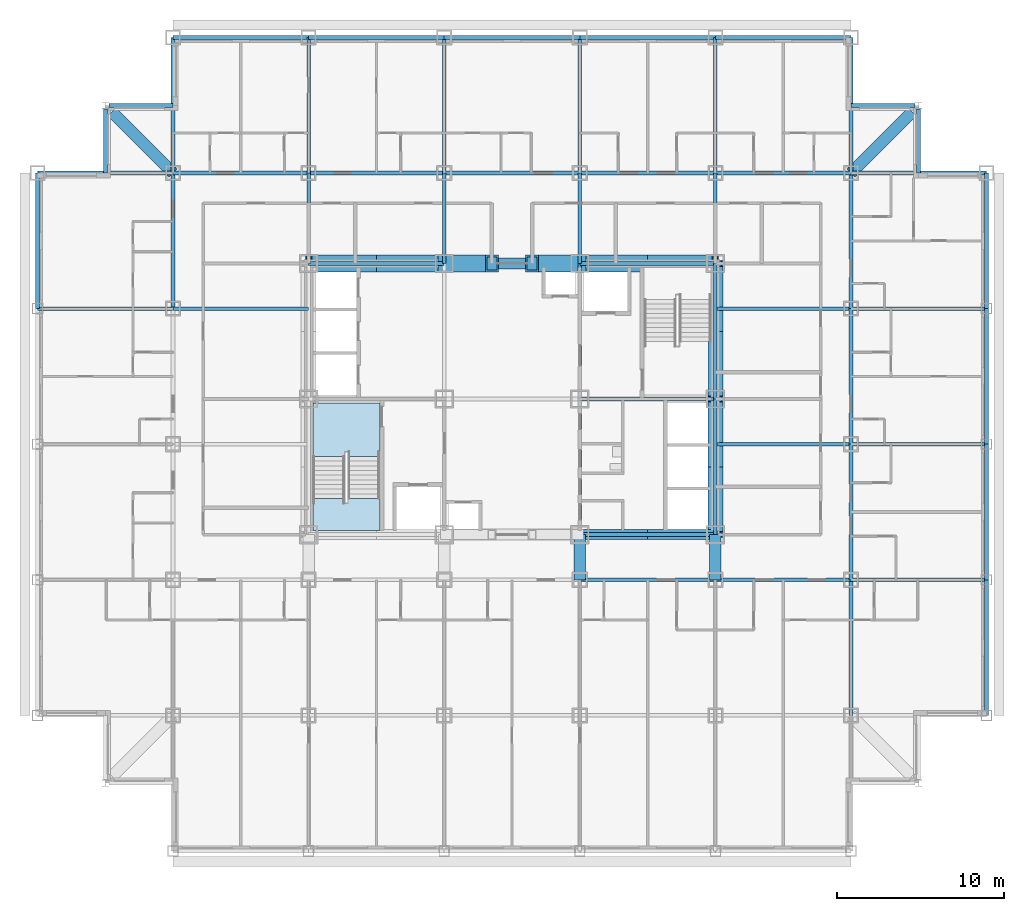
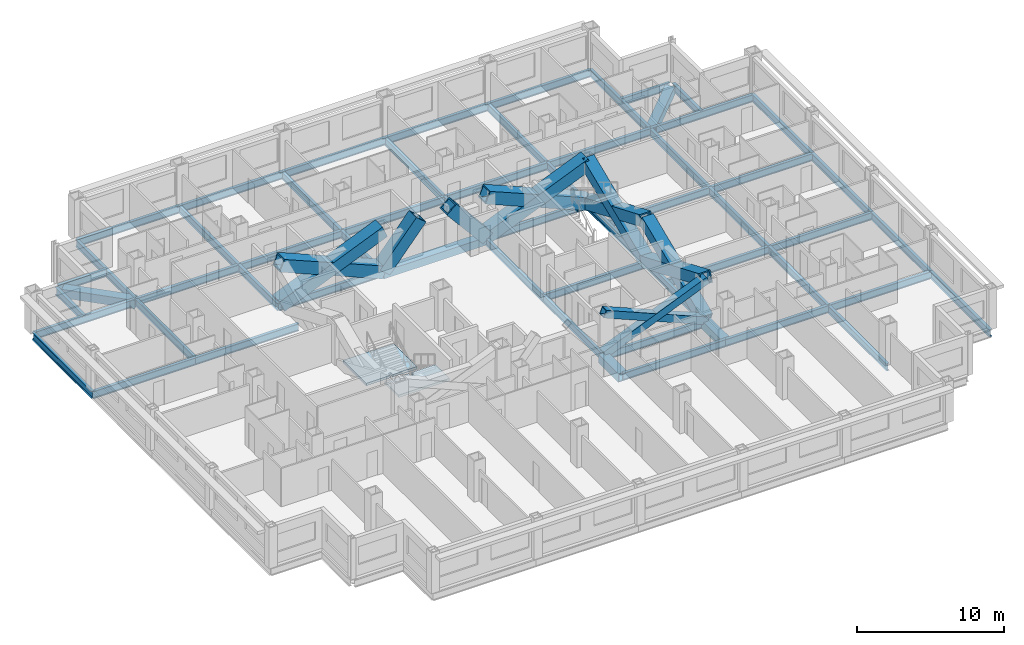
# One storey, part 2 of 14: 58 beams, 12 members, 2 slabs, 1 element without a shape of its own.
"""IFC4 building model written with IfcOpenShell, lengths in metres."""

from ifc_helpers import new_model, si_unit, direction, frame, origin, origin_2d, place, context, subcontext, project, spatial, polyline, hollow_rectangle, i_section, outline, extrude, material, layer, layer_set, material_profile, profile_set, type_object, element, aggregate, save


model = new_model("IFC4")

# Units and contexts
model_context = context("Model", 3, precision=1e-05, world=origin(), true_north=direction((0.0, 1.0)))
body_context = subcontext(model_context, "Body", "Model", "MODEL_VIEW")
ifc_project = project(units=[si_unit("LENGTHUNIT", "METRE"), si_unit("AREAUNIT", "SQUARE_METRE"), si_unit("VOLUMEUNIT", "CUBIC_METRE"), si_unit("PLANEANGLEUNIT", "RADIAN"), si_unit("MASSUNIT", "GRAM", prefix="KILO")], contexts=[model_context])

# Site, building, storey
site_placement = place(None, origin())
site = spatial("IfcSite", under=ifc_project, at=site_placement, CompositionType="ELEMENT")
building_placement = place(site_placement, origin())
building = spatial("IfcBuilding", under=site, at=building_placement, Name="Kopane Lantern Tower", CompositionType="ELEMENT")
storey_placement = place(building_placement, frame((0.0, 0.0, 127.199951171875)))
storey = spatial("IfcBuildingStorey", under=building, at=storey_placement, Name="L32", CompositionType="ELEMENT", Elevation=127.199951171875)

# Members
ifc_material_1 = material(Name="Steel S355JR", Category="steel")
ifc_material_profile_1 = material_profile(ifc_material_1, hollow_rectangle(XDim=1.0, YDim=1.0, WallThickness=0.10009765625, at=origin_2d()), Name="BOX 1000x1000x100")
ifc_profile_set_1 = profile_set([ifc_material_profile_1], Name="Steel S355JR")
member_type_1 = type_object("IfcMemberType", Name="BRACE BOX 1000x1000x100", PredefinedType="BRACE", material=ifc_profile_set_1)
for number, where, z_axis, x_axis, name in (
    (1, (16.199951171875, 40.5, -0.2099609375), (0.922069000757, 0.0, 0.387025526088), (0.0, 1.0, 0.0), "Core brace L32"),
    (2, (24.300048828125, 40.5, -0.2099609375), (-0.922069000757, 0.0, 0.387025526088), (0.0, -1.0, 0.0), "Core brace L32"),
):
    element("IfcMember", number, at=place(storey_placement, frame(where, z_axis=z_axis, x_axis=x_axis)), inside=storey, type_object=member_type_1, Name=name, PredefinedType="BRACE", context=body_context, shape_type="SweptSolid", body=[
        extrude(hollow_rectangle(XDim=1.0, YDim=1.0, WallThickness=0.10009765625, at=origin_2d()), origin(), (0.0, 0.0, 1.0), 8.78466796875),
    ])
for number, where, z_axis, x_axis, name in (
    (3, (24.300048828125, 40.5, -0.2099609375), (0.642390257445, 0.0, 0.7663776857), (0.0, 1.0, 0.0), "Core brace L32"),
    (4, (32.39990234375, 40.5, -0.2099609375), (-0.642390257445, 0.0, 0.7663776857), (0.0, -1.0, 0.0), "Core brace L32"),
):
    element("IfcMember", number, at=place(storey_placement, frame(where, z_axis=z_axis, x_axis=x_axis)), inside=storey, type_object=member_type_1, Name=name, PredefinedType="BRACE", context=body_context, shape_type="SweptSolid", body=[
        extrude(hollow_rectangle(XDim=1.0, YDim=1.0, WallThickness=0.10009765625, at=origin_2d()), origin(), (0.0, 0.0, 1.0), 4.436279296875),
    ])
for number, where, z_axis, x_axis, name in (
    (5, (32.39990234375, 40.5, -0.2099609375), (0.922069000757, 0.0, 0.387025526088), (0.0, 1.0, 0.0), "Core brace L32"),
    (6, (40.5, 40.5, -0.2099609375), (-0.922069000757, 0.0, 0.387025526088), (0.0, -1.0, 0.0), "Core brace L32"),
):
    element("IfcMember", number, at=place(storey_placement, frame(where, z_axis=z_axis, x_axis=x_axis)), inside=storey, type_object=member_type_1, Name=name, PredefinedType="BRACE", context=body_context, shape_type="SweptSolid", body=[
        extrude(hollow_rectangle(XDim=1.0, YDim=1.0, WallThickness=0.10009765625, at=origin_2d()), origin(), (0.0, 0.0, 1.0), 8.78466796875),
    ])
ifc_material_2 = material(Name="Steel S355JR", Category="steel")
ifc_material_profile_2 = material_profile(ifc_material_2, hollow_rectangle(XDim=0.60009765625, YDim=0.60009765625, WallThickness=0.050048828125, at=origin_2d()), Name="BOX 600x600x50")
ifc_profile_set_2 = profile_set([ifc_material_profile_2], Name="Steel S355JR")
member_type_2 = type_object("IfcMemberType", Name="BRACE BOX 600x600x50", PredefinedType="BRACE", material=ifc_profile_set_2)
for number, where, z_axis, x_axis, name in (
    (7, (32.39990234375, 24.300048828125, -0.2099609375), (0.922069000757, 0.0, 0.387025526088), (0.0, 1.0, 0.0), "Core brace L32"),
    (8, (40.5, 24.300048828125, -0.2099609375), (-0.922069000757, 0.0, 0.387025526088), (0.0, -1.0, 0.0), "Core brace L32"),
):
    element("IfcMember", number, at=place(storey_placement, frame(where, z_axis=z_axis, x_axis=x_axis)), inside=storey, type_object=member_type_2, Name=name, PredefinedType="BRACE", context=body_context, shape_type="SweptSolid", body=[
        extrude(hollow_rectangle(XDim=0.60009765625, YDim=0.60009765625, WallThickness=0.050048828125, at=origin_2d()), origin(), (0.0, 0.0, 1.0), 8.78466796875),
    ])
ifc_material_3 = material(Name="Steel S355JR", Category="steel")
ifc_material_profile_3 = material_profile(ifc_material_3, hollow_rectangle(XDim=0.89990234375, YDim=0.89990234375, WallThickness=0.090087890625, at=origin_2d()), Name="BOX 900x900x90")
ifc_profile_set_3 = profile_set([ifc_material_profile_3], Name="Steel S355JR")
member_type_3 = type_object("IfcMemberType", Name="BRACE BOX 900x900x90", PredefinedType="BRACE", material=ifc_profile_set_3)
for number, where, z_axis, x_axis, name in (
    (9, (40.5, 24.300048828125, -0.2099609375), (0.0, 0.922064837731, 0.38703544414), (-1.0, 0.0, 0.0), "Core brace L32"),
    (10, (40.5, 32.39990234375, -0.2099609375), (0.0, -0.922064837731, 0.38703544414), (1.0, 0.0, 0.0), "Core brace L32"),
):
    element("IfcMember", number, at=place(storey_placement, frame(where, z_axis=z_axis, x_axis=x_axis)), inside=storey, type_object=member_type_3, Name=name, PredefinedType="BRACE", context=body_context, shape_type="SweptSolid", body=[
        extrude(hollow_rectangle(XDim=0.89990234375, YDim=0.89990234375, WallThickness=0.090087890625, at=origin_2d()), origin(), (0.0, 0.0, 1.0), 8.784423828125),
    ])
for number, where, z_axis, x_axis, name in (
    (11, (40.5, 32.39990234375, -0.2099609375), (0.0, 0.922069000757, 0.387025526088), (-1.0, 0.0, 0.0), "Core brace L32"),
    (12, (40.5, 40.5, -0.2099609375), (0.0, -0.922069000757, 0.387025526088), (1.0, 0.0, 0.0), "Core brace L32"),
):
    element("IfcMember", number, at=place(storey_placement, frame(where, z_axis=z_axis, x_axis=x_axis)), inside=storey, type_object=member_type_3, Name=name, PredefinedType="BRACE", context=body_context, shape_type="SweptSolid", body=[
        extrude(hollow_rectangle(XDim=0.89990234375, YDim=0.89990234375, WallThickness=0.090087890625, at=origin_2d()), origin(), (0.0, 0.0, 1.0), 8.78466796875),
    ])

# Beams
ifc_material_4 = material(Name="Steel S355JR", Category="steel")
ifc_material_profile_4 = material_profile(ifc_material_4, i_section(OverallWidth=0.22900390625, OverallDepth=0.6123046875, WebThickness=0.011962890625, FlangeThickness=0.01953125, FilletRadius=0.0126953125, at=origin_2d()), Name="UB 610x229x125")
ifc_profile_set_4 = profile_set([ifc_material_profile_4], Name="Steel S355JR")
beam_type_1 = type_object("IfcBeamType", Name="CORE BEAM UB 610x229x125", PredefinedType="BEAM", material=ifc_profile_set_4)
beam_1_placement = place(storey_placement, frame((32.39990234375, 24.300048828125, -0.51611328125), z_axis=(0.0, 1.0, 0.0), x_axis=(-1.0, 0.0, 0.0)))
element("IfcBeam", 13, at=beam_1_placement, inside=storey, type_object=beam_type_1, Name="Core Beam L32", PredefinedType="BEAM", context=body_context, shape_type="SweptSolid", body=[
    extrude(i_section(OverallWidth=0.22900390625, OverallDepth=0.6123046875, WebThickness=0.011962890625, FlangeThickness=0.01953125, FilletRadius=0.0126953125, at=origin_2d()), origin(), (0.0, 0.0, 1.0), 8.099853515625),
])
for number, where, z_axis, x_axis, name in (
    (14, (32.39990234375, 32.39990234375, -0.51611328125), (0.0, 1.0, 0.0), (-1.0, 0.0, 0.0), "Core Beam L32"),
    (15, (32.39990234375, 32.39990234375, -0.51611328125), (1.0, 0.0, 0.0), (0.0, 1.0, 0.0), "Core Beam L32"),
):
    element("IfcBeam", number, at=place(storey_placement, frame(where, z_axis=z_axis, x_axis=x_axis)), inside=storey, type_object=beam_type_1, Name=name, PredefinedType="BEAM", context=body_context, shape_type="SweptSolid", body=[
        extrude(i_section(OverallWidth=0.22900390625, OverallDepth=0.6123046875, WebThickness=0.011962890625, FlangeThickness=0.01953125, FilletRadius=0.0126953125, at=origin_2d()), origin(), (0.0, 0.0, 1.0), 8.10009765625),
    ])
ifc_material_5 = material(Name="Steel S355JR", Category="steel")
ifc_material_profile_5 = material_profile(ifc_material_5, hollow_rectangle(XDim=0.699951171875, YDim=0.699951171875, WallThickness=0.06005859375, at=origin_2d()), Name="BOX 700x700x60")
ifc_profile_set_5 = profile_set([ifc_material_profile_5], Name="Steel S355JR")
beam_type_2 = type_object("IfcBeamType", Name="CORNER TIE BEAM BOX 700x700x60", PredefinedType="BEAM", material=ifc_profile_set_5)
beam_2_placement = place(storey_placement, frame((4.447509765625, 49.552490234375, -0.56005859375), z_axis=(0.707106781187, -0.707106781187, 0.0), x_axis=(0.707106781187, 0.707106781187, 0.0)))
element("IfcBeam", 16, at=beam_2_placement, inside=storey, type_object=beam_type_2, Name="Corner Tie Beam L32", PredefinedType="BEAM", context=body_context, shape_type="SweptSolid", body=[
    extrude(hollow_rectangle(XDim=0.699951171875, YDim=0.699951171875, WallThickness=0.06005859375, at=origin_2d()), origin(), (0.0, 0.0, 1.0), 5.16552734375),
])
beam_3_placement = place(storey_placement, frame((52.25244140625, 49.552490234375, -0.56005859375), z_axis=(-0.707083148333, -0.70713041325, 0.0), x_axis=(0.70713041325, -0.707083148333, 0.0)))
element("IfcBeam", 17, at=beam_3_placement, inside=storey, type_object=beam_type_2, Name="Corner Tie Beam L32", PredefinedType="BEAM", context=body_context, shape_type="SweptSolid", body=[
    extrude(hollow_rectangle(XDim=0.699951171875, YDim=0.699951171875, WallThickness=0.06005859375, at=origin_2d()), origin(), (0.0, 0.0, 1.0), 5.165283203125),
])
ifc_material_6 = material(Name="Steel S355JR", Category="steel")
ifc_material_profile_6 = material_profile(ifc_material_6, i_section(OverallWidth=0.22900390625, OverallDepth=0.6123046875, WebThickness=0.011962890625, FlangeThickness=0.01953125, FilletRadius=0.0126953125, at=origin_2d()), Name="UB 610x229x125")
ifc_profile_set_6 = profile_set([ifc_material_profile_6], Name="Steel S355JR")
beam_type_3 = type_object("IfcBeamType", Name="EDGE BEAM UB 610x229x125", PredefinedType="BEAM", material=ifc_profile_set_6)
for number, where, z_axis, x_axis, name in (
    (18, (4.050048828125, 49.74658203125, -0.51611328125), (0.0, -1.0, 0.0), (1.0, 0.0, 0.0), "Edge Beam L32"),
    (19, (4.25341796875, 49.949951171875, -0.51611328125), (1.0, 0.0, 0.0), (0.0, 1.0, 0.0), "Edge Beam L32"),
):
    element("IfcBeam", number, at=place(storey_placement, frame(where, z_axis=z_axis, x_axis=x_axis)), inside=storey, type_object=beam_type_3, Name=name, PredefinedType="BEAM", context=body_context, shape_type="SweptSolid", body=[
        extrude(i_section(OverallWidth=0.22900390625, OverallDepth=0.6123046875, WebThickness=0.011962890625, FlangeThickness=0.01953125, FilletRadius=0.0126953125, at=origin_2d()), origin(), (0.0, 0.0, 1.0), 3.8466796875),
    ])
beam_4_placement = place(storey_placement, frame((52.446533203125, 49.949951171875, -0.51611328125), z_axis=(-1.0, 0.0, 0.0), x_axis=(0.0, -1.0, 0.0)))
element("IfcBeam", 20, at=beam_4_placement, inside=storey, type_object=beam_type_3, Name="Edge Beam L32", PredefinedType="BEAM", context=body_context, shape_type="SweptSolid", body=[
    extrude(i_section(OverallWidth=0.22900390625, OverallDepth=0.6123046875, WebThickness=0.011962890625, FlangeThickness=0.01953125, FilletRadius=0.0126953125, at=origin_2d()), origin(), (0.0, 0.0, 1.0), 3.846435546875),
])
beam_5_placement = place(storey_placement, frame((52.64990234375, 49.74658203125, -0.51611328125), z_axis=(0.0, -1.0, 0.0), x_axis=(1.0, 0.0, 0.0)))
element("IfcBeam", 21, at=beam_5_placement, inside=storey, type_object=beam_type_3, Name="Edge Beam L32", PredefinedType="BEAM", context=body_context, shape_type="SweptSolid", body=[
    extrude(i_section(OverallWidth=0.22900390625, OverallDepth=0.6123046875, WebThickness=0.011962890625, FlangeThickness=0.01953125, FilletRadius=0.0126953125, at=origin_2d()), origin(), (0.0, 0.0, 1.0), 3.8466796875),
])
ifc_material_7 = material(Name="Steel S355JR", Category="steel")
ifc_material_profile_7 = material_profile(ifc_material_7, hollow_rectangle(XDim=0.699951171875, YDim=0.699951171875, WallThickness=0.06005859375, at=origin_2d()), Name="BOX 700x700x60")
ifc_profile_set_7 = profile_set([ifc_material_profile_7], Name="Steel S355JR")
beam_type_4 = type_object("IfcBeamType", Name="GIRDER BOX 700x700x60", PredefinedType="BEAM", material=ifc_profile_set_7)
for number, where, z_axis, x_axis, name in (
    (22, (32.39990234375, 21.60009765625, -0.56005859375), (0.0, 1.0, 0.0), (-1.0, 0.0, 0.0), "Girder L32"),
    (23, (40.5, 21.60009765625, -0.56005859375), (0.0, 1.0, 0.0), (-1.0, 0.0, 0.0), "Girder L32"),
):
    element("IfcBeam", number, at=place(storey_placement, frame(where, z_axis=z_axis, x_axis=x_axis)), inside=storey, type_object=beam_type_4, Name=name, PredefinedType="BEAM", context=body_context, shape_type="SweptSolid", body=[
        extrude(hollow_rectangle(XDim=0.699951171875, YDim=0.699951171875, WallThickness=0.06005859375, at=origin_2d()), origin(), (0.0, 0.0, 1.0), 2.699951171875),
    ])
ifc_material_8 = material(Name="Steel S355JR", Category="steel")
ifc_material_profile_8 = material_profile(ifc_material_8, i_section(OverallWidth=0.22900390625, OverallDepth=0.6123046875, WebThickness=0.011962890625, FlangeThickness=0.01953125, FilletRadius=0.0126953125, at=origin_2d()), Name="UB 610x229x125")
ifc_profile_set_8 = profile_set([ifc_material_profile_8], Name="Steel S355JR")
beam_type_5 = type_object("IfcBeamType", Name="GIRDER UB 610x229x125", PredefinedType="BEAM", material=ifc_profile_set_8)
beam_6_placement = place(storey_placement, frame((0.0, 37.800048828125, -0.51611328125), z_axis=(0.0, 1.0, 0.0), x_axis=(-1.0, 0.0, 0.0)))
element("IfcBeam", 24, at=beam_6_placement, inside=storey, type_object=beam_type_5, Name="Girder L32", PredefinedType="BEAM", context=body_context, shape_type="SweptSolid", body=[
    extrude(i_section(OverallWidth=0.22900390625, OverallDepth=0.6123046875, WebThickness=0.011962890625, FlangeThickness=0.01953125, FilletRadius=0.0126953125, at=origin_2d()), origin(), (0.0, 0.0, 1.0), 8.099853515625),
])
for number, where, z_axis, x_axis, name in (
    (25, (0.0, 37.800048828125, -0.51611328125), (1.0, 0.0, 0.0), (0.0, 1.0, 0.0), "Girder L32"),
    (26, (0.0, 45.89990234375, -0.51611328125), (1.0, 0.0, 0.0), (0.0, 1.0, 0.0), "Girder L32"),
):
    element("IfcBeam", number, at=place(storey_placement, frame(where, z_axis=z_axis, x_axis=x_axis)), inside=storey, type_object=beam_type_5, Name=name, PredefinedType="BEAM", context=body_context, shape_type="SweptSolid", body=[
        extrude(i_section(OverallWidth=0.22900390625, OverallDepth=0.6123046875, WebThickness=0.011962890625, FlangeThickness=0.01953125, FilletRadius=0.0126953125, at=origin_2d()), origin(), (0.0, 0.0, 1.0), 8.10009765625),
    ])
for number, where, z_axis, x_axis, name in (
    (27, (8.10009765625, 37.800048828125, -0.51611328125), (0.0, 1.0, 0.0), (-1.0, 0.0, 0.0), "Girder L32"),
    (28, (8.10009765625, 37.800048828125, -0.51611328125), (1.0, 0.0, 0.0), (0.0, 1.0, 0.0), "Girder L32"),
):
    element("IfcBeam", number, at=place(storey_placement, frame(where, z_axis=z_axis, x_axis=x_axis)), inside=storey, type_object=beam_type_5, Name=name, PredefinedType="BEAM", context=body_context, shape_type="SweptSolid", body=[
        extrude(i_section(OverallWidth=0.22900390625, OverallDepth=0.6123046875, WebThickness=0.011962890625, FlangeThickness=0.01953125, FilletRadius=0.0126953125, at=origin_2d()), origin(), (0.0, 0.0, 1.0), 8.099853515625),
    ])
beam_7_placement = place(storey_placement, frame((8.10009765625, 45.89990234375, -0.51611328125), z_axis=(0.0, 1.0, 0.0), x_axis=(-1.0, 0.0, 0.0)))
element("IfcBeam", 29, at=beam_7_placement, inside=storey, type_object=beam_type_5, Name="Girder L32", PredefinedType="BEAM", context=body_context, shape_type="SweptSolid", body=[
    extrude(i_section(OverallWidth=0.22900390625, OverallDepth=0.6123046875, WebThickness=0.011962890625, FlangeThickness=0.01953125, FilletRadius=0.0126953125, at=origin_2d()), origin(), (0.0, 0.0, 1.0), 8.10009765625),
])
for number, where, z_axis, x_axis, name in (
    (30, (8.10009765625, 45.89990234375, -0.51611328125), (1.0, 0.0, 0.0), (0.0, 1.0, 0.0), "Girder L32"),
    (31, (8.10009765625, 54.0, -0.51611328125), (1.0, 0.0, 0.0), (0.0, 1.0, 0.0), "Girder L32"),
):
    element("IfcBeam", number, at=place(storey_placement, frame(where, z_axis=z_axis, x_axis=x_axis)), inside=storey, type_object=beam_type_5, Name=name, PredefinedType="BEAM", context=body_context, shape_type="SweptSolid", body=[
        extrude(i_section(OverallWidth=0.22900390625, OverallDepth=0.6123046875, WebThickness=0.011962890625, FlangeThickness=0.01953125, FilletRadius=0.0126953125, at=origin_2d()), origin(), (0.0, 0.0, 1.0), 8.099853515625),
    ])
beam_8_placement = place(storey_placement, frame((16.199951171875, 40.5, -0.51611328125), z_axis=(0.0, 1.0, 0.0), x_axis=(-1.0, 0.0, 0.0)))
element("IfcBeam", 32, at=beam_8_placement, inside=storey, type_object=beam_type_5, Name="Girder L32", PredefinedType="BEAM", context=body_context, shape_type="SweptSolid", body=[
    extrude(i_section(OverallWidth=0.22900390625, OverallDepth=0.6123046875, WebThickness=0.011962890625, FlangeThickness=0.01953125, FilletRadius=0.0126953125, at=origin_2d()), origin(), (0.0, 0.0, 1.0), 5.39990234375),
])
for number, where, z_axis, x_axis, name in (
    (33, (16.199951171875, 40.5, -0.51611328125), (1.0, 0.0, 0.0), (0.0, 1.0, 0.0), "Girder L32"),
    (34, (16.199951171875, 45.89990234375, -0.51611328125), (0.0, 1.0, 0.0), (-1.0, 0.0, 0.0), "Girder L32"),
    (35, (16.199951171875, 45.89990234375, -0.51611328125), (1.0, 0.0, 0.0), (0.0, 1.0, 0.0), "Girder L32"),
    (36, (16.199951171875, 54.0, -0.51611328125), (1.0, 0.0, 0.0), (0.0, 1.0, 0.0), "Girder L32"),
):
    element("IfcBeam", number, at=place(storey_placement, frame(where, z_axis=z_axis, x_axis=x_axis)), inside=storey, type_object=beam_type_5, Name=name, PredefinedType="BEAM", context=body_context, shape_type="SweptSolid", body=[
        extrude(i_section(OverallWidth=0.22900390625, OverallDepth=0.6123046875, WebThickness=0.011962890625, FlangeThickness=0.01953125, FilletRadius=0.0126953125, at=origin_2d()), origin(), (0.0, 0.0, 1.0), 8.10009765625),
    ])
beam_9_placement = place(storey_placement, frame((24.300048828125, 40.5, -0.51611328125), z_axis=(0.0, 1.0, 0.0), x_axis=(-1.0, 0.0, 0.0)))
element("IfcBeam", 37, at=beam_9_placement, inside=storey, type_object=beam_type_5, Name="Girder L32", PredefinedType="BEAM", context=body_context, shape_type="SweptSolid", body=[
    extrude(i_section(OverallWidth=0.22900390625, OverallDepth=0.6123046875, WebThickness=0.011962890625, FlangeThickness=0.01953125, FilletRadius=0.0126953125, at=origin_2d()), origin(), (0.0, 0.0, 1.0), 5.39990234375),
])
beam_10_placement = place(storey_placement, frame((24.300048828125, 45.89990234375, -0.51611328125), z_axis=(0.0, 1.0, 0.0), x_axis=(-1.0, 0.0, 0.0)))
element("IfcBeam", 38, at=beam_10_placement, inside=storey, type_object=beam_type_5, Name="Girder L32", PredefinedType="BEAM", context=body_context, shape_type="SweptSolid", body=[
    extrude(i_section(OverallWidth=0.22900390625, OverallDepth=0.6123046875, WebThickness=0.011962890625, FlangeThickness=0.01953125, FilletRadius=0.0126953125, at=origin_2d()), origin(), (0.0, 0.0, 1.0), 8.10009765625),
])
for number, where, z_axis, x_axis, name in (
    (39, (24.300048828125, 45.89990234375, -0.51611328125), (1.0, 0.0, 0.0), (0.0, 1.0, 0.0), "Girder L32"),
    (40, (24.300048828125, 54.0, -0.51611328125), (1.0, 0.0, 0.0), (0.0, 1.0, 0.0), "Girder L32"),
):
    element("IfcBeam", number, at=place(storey_placement, frame(where, z_axis=z_axis, x_axis=x_axis)), inside=storey, type_object=beam_type_5, Name=name, PredefinedType="BEAM", context=body_context, shape_type="SweptSolid", body=[
        extrude(i_section(OverallWidth=0.22900390625, OverallDepth=0.6123046875, WebThickness=0.011962890625, FlangeThickness=0.01953125, FilletRadius=0.0126953125, at=origin_2d()), origin(), (0.0, 0.0, 1.0), 8.099853515625),
    ])
for number, where, z_axis, x_axis, name in (
    (41, (32.39990234375, 21.60009765625, -0.51611328125), (1.0, 0.0, 0.0), (0.0, 1.0, 0.0), "Girder L32"),
    (42, (32.39990234375, 24.300048828125, -0.51611328125), (1.0, 0.0, 0.0), (0.0, 1.0, 0.0), "Girder L32"),
):
    element("IfcBeam", number, at=place(storey_placement, frame(where, z_axis=z_axis, x_axis=x_axis)), inside=storey, type_object=beam_type_5, Name=name, PredefinedType="BEAM", context=body_context, shape_type="SweptSolid", body=[
        extrude(i_section(OverallWidth=0.22900390625, OverallDepth=0.6123046875, WebThickness=0.011962890625, FlangeThickness=0.01953125, FilletRadius=0.0126953125, at=origin_2d()), origin(), (0.0, 0.0, 1.0), 8.10009765625),
    ])
beam_11_placement = place(storey_placement, frame((32.39990234375, 40.5, -0.51611328125), z_axis=(0.0, 1.0, 0.0), x_axis=(-1.0, 0.0, 0.0)))
element("IfcBeam", 43, at=beam_11_placement, inside=storey, type_object=beam_type_5, Name="Girder L32", PredefinedType="BEAM", context=body_context, shape_type="SweptSolid", body=[
    extrude(i_section(OverallWidth=0.22900390625, OverallDepth=0.6123046875, WebThickness=0.011962890625, FlangeThickness=0.01953125, FilletRadius=0.0126953125, at=origin_2d()), origin(), (0.0, 0.0, 1.0), 5.39990234375),
])
for number, where, z_axis, x_axis, name in (
    (44, (32.39990234375, 40.5, -0.51611328125), (1.0, 0.0, 0.0), (0.0, 1.0, 0.0), "Girder L32"),
    (45, (32.39990234375, 45.89990234375, -0.51611328125), (0.0, 1.0, 0.0), (-1.0, 0.0, 0.0), "Girder L32"),
    (46, (32.39990234375, 45.89990234375, -0.51611328125), (1.0, 0.0, 0.0), (0.0, 1.0, 0.0), "Girder L32"),
    (47, (32.39990234375, 54.0, -0.51611328125), (1.0, 0.0, 0.0), (0.0, 1.0, 0.0), "Girder L32"),
    (48, (40.5, 21.60009765625, -0.51611328125), (1.0, 0.0, 0.0), (0.0, 1.0, 0.0), "Girder L32"),
):
    element("IfcBeam", number, at=place(storey_placement, frame(where, z_axis=z_axis, x_axis=x_axis)), inside=storey, type_object=beam_type_5, Name=name, PredefinedType="BEAM", context=body_context, shape_type="SweptSolid", body=[
        extrude(i_section(OverallWidth=0.22900390625, OverallDepth=0.6123046875, WebThickness=0.011962890625, FlangeThickness=0.01953125, FilletRadius=0.0126953125, at=origin_2d()), origin(), (0.0, 0.0, 1.0), 8.10009765625),
    ])
beam_12_placement = place(storey_placement, frame((40.5, 24.300048828125, -0.51611328125), z_axis=(0.0, 1.0, 0.0), x_axis=(-1.0, 0.0, 0.0)))
element("IfcBeam", 49, at=beam_12_placement, inside=storey, type_object=beam_type_5, Name="Girder L32", PredefinedType="BEAM", context=body_context, shape_type="SweptSolid", body=[
    extrude(i_section(OverallWidth=0.22900390625, OverallDepth=0.6123046875, WebThickness=0.011962890625, FlangeThickness=0.01953125, FilletRadius=0.0126953125, at=origin_2d()), origin(), (0.0, 0.0, 1.0), 8.099853515625),
])
for number, where, z_axis, x_axis, name in (
    (50, (40.5, 29.699951171875, -0.51611328125), (1.0, 0.0, 0.0), (0.0, 1.0, 0.0), "Girder L32"),
    (51, (40.5, 32.39990234375, -0.51611328125), (0.0, 1.0, 0.0), (-1.0, 0.0, 0.0), "Girder L32"),
    (52, (40.5, 37.800048828125, -0.51611328125), (1.0, 0.0, 0.0), (0.0, 1.0, 0.0), "Girder L32"),
):
    element("IfcBeam", number, at=place(storey_placement, frame(where, z_axis=z_axis, x_axis=x_axis)), inside=storey, type_object=beam_type_5, Name=name, PredefinedType="BEAM", context=body_context, shape_type="SweptSolid", body=[
        extrude(i_section(OverallWidth=0.22900390625, OverallDepth=0.6123046875, WebThickness=0.011962890625, FlangeThickness=0.01953125, FilletRadius=0.0126953125, at=origin_2d()), origin(), (0.0, 0.0, 1.0), 8.10009765625),
    ])
beam_13_placement = place(storey_placement, frame((40.5, 40.5, -0.51611328125), z_axis=(0.0, 1.0, 0.0), x_axis=(-1.0, 0.0, 0.0)))
element("IfcBeam", 53, at=beam_13_placement, inside=storey, type_object=beam_type_5, Name="Girder L32", PredefinedType="BEAM", context=body_context, shape_type="SweptSolid", body=[
    extrude(i_section(OverallWidth=0.22900390625, OverallDepth=0.6123046875, WebThickness=0.011962890625, FlangeThickness=0.01953125, FilletRadius=0.0126953125, at=origin_2d()), origin(), (0.0, 0.0, 1.0), 5.39990234375),
])
for number, where, z_axis, x_axis, name in (
    (54, (40.5, 45.89990234375, -0.51611328125), (0.0, 1.0, 0.0), (-1.0, 0.0, 0.0), "Girder L32"),
    (55, (40.5, 45.89990234375, -0.51611328125), (1.0, 0.0, 0.0), (0.0, 1.0, 0.0), "Girder L32"),
    (56, (40.5, 54.0, -0.51611328125), (1.0, 0.0, 0.0), (0.0, 1.0, 0.0), "Girder L32"),
    (57, (48.60009765625, 13.5, -0.51611328125), (0.0, 1.0, 0.0), (-1.0, 0.0, 0.0), "Girder L32"),
):
    element("IfcBeam", number, at=place(storey_placement, frame(where, z_axis=z_axis, x_axis=x_axis)), inside=storey, type_object=beam_type_5, Name=name, PredefinedType="BEAM", context=body_context, shape_type="SweptSolid", body=[
        extrude(i_section(OverallWidth=0.22900390625, OverallDepth=0.6123046875, WebThickness=0.011962890625, FlangeThickness=0.01953125, FilletRadius=0.0126953125, at=origin_2d()), origin(), (0.0, 0.0, 1.0), 8.10009765625),
    ])
for number, where, z_axis, x_axis, name in (
    (58, (48.60009765625, 21.60009765625, -0.51611328125), (0.0, 1.0, 0.0), (-1.0, 0.0, 0.0), "Girder L32"),
    (59, (48.60009765625, 21.60009765625, -0.51611328125), (1.0, 0.0, 0.0), (0.0, 1.0, 0.0), "Girder L32"),
):
    element("IfcBeam", number, at=place(storey_placement, frame(where, z_axis=z_axis, x_axis=x_axis)), inside=storey, type_object=beam_type_5, Name=name, PredefinedType="BEAM", context=body_context, shape_type="SweptSolid", body=[
        extrude(i_section(OverallWidth=0.22900390625, OverallDepth=0.6123046875, WebThickness=0.011962890625, FlangeThickness=0.01953125, FilletRadius=0.0126953125, at=origin_2d()), origin(), (0.0, 0.0, 1.0), 8.099853515625),
    ])
beam_14_placement = place(storey_placement, frame((48.60009765625, 29.699951171875, -0.51611328125), z_axis=(0.0, 1.0, 0.0), x_axis=(-1.0, 0.0, 0.0)))
element("IfcBeam", 60, at=beam_14_placement, inside=storey, type_object=beam_type_5, Name="Girder L32", PredefinedType="BEAM", context=body_context, shape_type="SweptSolid", body=[
    extrude(i_section(OverallWidth=0.22900390625, OverallDepth=0.6123046875, WebThickness=0.011962890625, FlangeThickness=0.01953125, FilletRadius=0.0126953125, at=origin_2d()), origin(), (0.0, 0.0, 1.0), 8.10009765625),
])
for number, where, z_axis, x_axis, name in (
    (61, (48.60009765625, 29.699951171875, -0.51611328125), (1.0, 0.0, 0.0), (0.0, 1.0, 0.0), "Girder L32"),
    (62, (48.60009765625, 37.800048828125, -0.51611328125), (0.0, 1.0, 0.0), (-1.0, 0.0, 0.0), "Girder L32"),
    (63, (48.60009765625, 37.800048828125, -0.51611328125), (1.0, 0.0, 0.0), (0.0, 1.0, 0.0), "Girder L32"),
):
    element("IfcBeam", number, at=place(storey_placement, frame(where, z_axis=z_axis, x_axis=x_axis)), inside=storey, type_object=beam_type_5, Name=name, PredefinedType="BEAM", context=body_context, shape_type="SweptSolid", body=[
        extrude(i_section(OverallWidth=0.22900390625, OverallDepth=0.6123046875, WebThickness=0.011962890625, FlangeThickness=0.01953125, FilletRadius=0.0126953125, at=origin_2d()), origin(), (0.0, 0.0, 1.0), 8.099853515625),
    ])
beam_15_placement = place(storey_placement, frame((48.60009765625, 45.89990234375, -0.51611328125), z_axis=(0.0, 1.0, 0.0), x_axis=(-1.0, 0.0, 0.0)))
element("IfcBeam", 64, at=beam_15_placement, inside=storey, type_object=beam_type_5, Name="Girder L32", PredefinedType="BEAM", context=body_context, shape_type="SweptSolid", body=[
    extrude(i_section(OverallWidth=0.22900390625, OverallDepth=0.6123046875, WebThickness=0.011962890625, FlangeThickness=0.01953125, FilletRadius=0.0126953125, at=origin_2d()), origin(), (0.0, 0.0, 1.0), 8.10009765625),
])
beam_16_placement = place(storey_placement, frame((48.60009765625, 45.89990234375, -0.51611328125), z_axis=(1.0, 0.0, 0.0), x_axis=(0.0, 1.0, 0.0)))
element("IfcBeam", 65, at=beam_16_placement, inside=storey, type_object=beam_type_5, Name="Girder L32", PredefinedType="BEAM", context=body_context, shape_type="SweptSolid", body=[
    extrude(i_section(OverallWidth=0.22900390625, OverallDepth=0.6123046875, WebThickness=0.011962890625, FlangeThickness=0.01953125, FilletRadius=0.0126953125, at=origin_2d()), origin(), (0.0, 0.0, 1.0), 8.099853515625),
])
beam_17_placement = place(storey_placement, frame((56.699951171875, 13.5, -0.51611328125), z_axis=(0.0, 1.0, 0.0), x_axis=(-1.0, 0.0, 0.0)))
element("IfcBeam", 66, at=beam_17_placement, inside=storey, type_object=beam_type_5, Name="Girder L32", PredefinedType="BEAM", context=body_context, shape_type="SweptSolid", body=[
    extrude(i_section(OverallWidth=0.22900390625, OverallDepth=0.6123046875, WebThickness=0.011962890625, FlangeThickness=0.01953125, FilletRadius=0.0126953125, at=origin_2d()), origin(), (0.0, 0.0, 1.0), 8.10009765625),
])
beam_18_placement = place(storey_placement, frame((56.699951171875, 21.60009765625, -0.51611328125), z_axis=(0.0, 1.0, 0.0), x_axis=(-1.0, 0.0, 0.0)))
element("IfcBeam", 67, at=beam_18_placement, inside=storey, type_object=beam_type_5, Name="Girder L32", PredefinedType="BEAM", context=body_context, shape_type="SweptSolid", body=[
    extrude(i_section(OverallWidth=0.22900390625, OverallDepth=0.6123046875, WebThickness=0.011962890625, FlangeThickness=0.01953125, FilletRadius=0.0126953125, at=origin_2d()), origin(), (0.0, 0.0, 1.0), 8.099853515625),
])
beam_19_placement = place(storey_placement, frame((56.699951171875, 29.699951171875, -0.51611328125), z_axis=(0.0, 1.0, 0.0), x_axis=(-1.0, 0.0, 0.0)))
element("IfcBeam", 68, at=beam_19_placement, inside=storey, type_object=beam_type_5, Name="Girder L32", PredefinedType="BEAM", context=body_context, shape_type="SweptSolid", body=[
    extrude(i_section(OverallWidth=0.22900390625, OverallDepth=0.6123046875, WebThickness=0.011962890625, FlangeThickness=0.01953125, FilletRadius=0.0126953125, at=origin_2d()), origin(), (0.0, 0.0, 1.0), 8.10009765625),
])
beam_20_placement = place(storey_placement, frame((56.699951171875, 37.800048828125, -0.51611328125), z_axis=(0.0, 1.0, 0.0), x_axis=(-1.0, 0.0, 0.0)))
element("IfcBeam", 69, at=beam_20_placement, inside=storey, type_object=beam_type_5, Name="Girder L32", PredefinedType="BEAM", context=body_context, shape_type="SweptSolid", body=[
    extrude(i_section(OverallWidth=0.22900390625, OverallDepth=0.6123046875, WebThickness=0.011962890625, FlangeThickness=0.01953125, FilletRadius=0.0126953125, at=origin_2d()), origin(), (0.0, 0.0, 1.0), 8.099853515625),
])
ifc_material_9 = material(Name="Steel S355JR", Category="steel")
ifc_material_profile_9 = material_profile(ifc_material_9, hollow_rectangle(XDim=0.64990234375, YDim=0.64990234375, WallThickness=0.070068359375, at=origin_2d()), Name="BOX 650x650x70")
ifc_profile_set_9 = profile_set([ifc_material_profile_9], Name="Steel S355JR")
beam_type_6 = type_object("IfcBeamType", Name="LINK BEAM BOX 650x650x70", PredefinedType="BEAM", material=ifc_profile_set_9)
beam_21_placement = place(storey_placement, frame((24.300048828125, 40.5, -0.534912109375), z_axis=(1.0, 0.0, 0.0), x_axis=(0.0, 1.0, 0.0)))
element("IfcBeam", 70, at=beam_21_placement, inside=storey, type_object=beam_type_6, Name="Link Beam L32", PredefinedType="BEAM", context=body_context, shape_type="SweptSolid", body=[
    extrude(hollow_rectangle(XDim=0.64990234375, YDim=0.64990234375, WallThickness=0.070068359375, at=origin_2d()), origin(), (0.0, 0.0, 1.0), 8.099853515625),
])

# Stair, slabs
ifc_material_10 = material(Name="Steel S355JR", Category="steel")
stair_type = type_object("IfcStairType", Name="EXIT STAIR 1900 HALF TURN", PredefinedType="HALF_TURN_STAIR", material=ifc_material_10)
stair_placement = place(storey_placement, origin())
stair = element("IfcStair", 71, at=stair_placement, inside=storey, type_object=stair_type, Name="Exit stair ST1 L32", PredefinedType="HALF_TURN_STAIR")
ifc_material_11 = material(Name="Concrete C40/50", Category="concrete")
ifc_layer = layer(ifc_material_11, 0.199951171875)
ifc_layer_set = layer_set([ifc_layer], Name="STAIR LANDING 200")
slab_type = type_object("IfcSlabType", Name="STAIR LANDING 200", PredefinedType="LANDING", material=ifc_layer_set)
slab_1_placement = place(storey_placement, frame((0.0, 0.0, -0.199951171875)))
slab_1 = element("IfcSlab", 72, at=slab_1_placement, type_object=slab_type, Name="ST1 landing 1", PredefinedType="LANDING", context=body_context, shape_type="SweptSolid", body=[
    extrude(outline(polyline([(18.35009765625, 29.25), (18.550048828125, 29.25), (18.550048828125, 28.969970703125), (20.449951171875, 28.969970703125), (20.449951171875, 32.14990234375), (16.449951171875, 32.14990234375), (16.449951171875, 28.969970703125), (18.35009765625, 28.969970703125), (18.35009765625, 29.25)])), origin(), (0.0, 0.0, 1.0), 0.199951171875),
])
slab_2_placement = place(storey_placement, frame((0.0, 0.0, 1.5)))
slab_2 = element("IfcSlab", 73, at=slab_2_placement, type_object=slab_type, Name="ST1 landing 2", PredefinedType="LANDING", context=body_context, shape_type="SweptSolid", body=[
    extrude(outline(polyline([(20.449951171875, 26.449951171875), (18.550048828125, 26.449951171875), (18.550048828125, 26.169921875), (18.35009765625, 26.169921875), (18.35009765625, 26.449951171875), (16.449951171875, 26.449951171875), (16.449951171875, 24.550048828125), (20.449951171875, 24.550048828125), (20.449951171875, 26.449951171875)])), origin(), (0.0, 0.0, 1.0), 0.199951171875),
])
aggregate(stair, [slab_1, slab_2])

save(model, "model.ifc")
